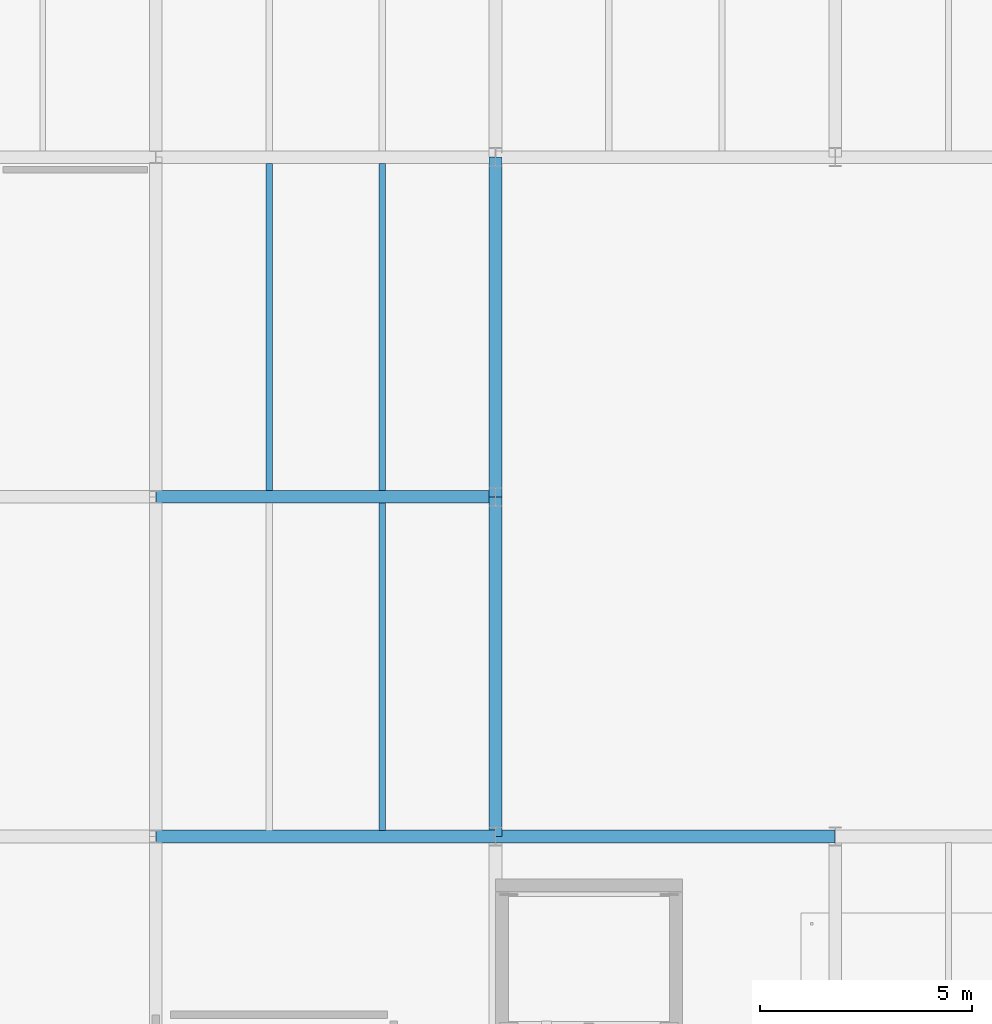
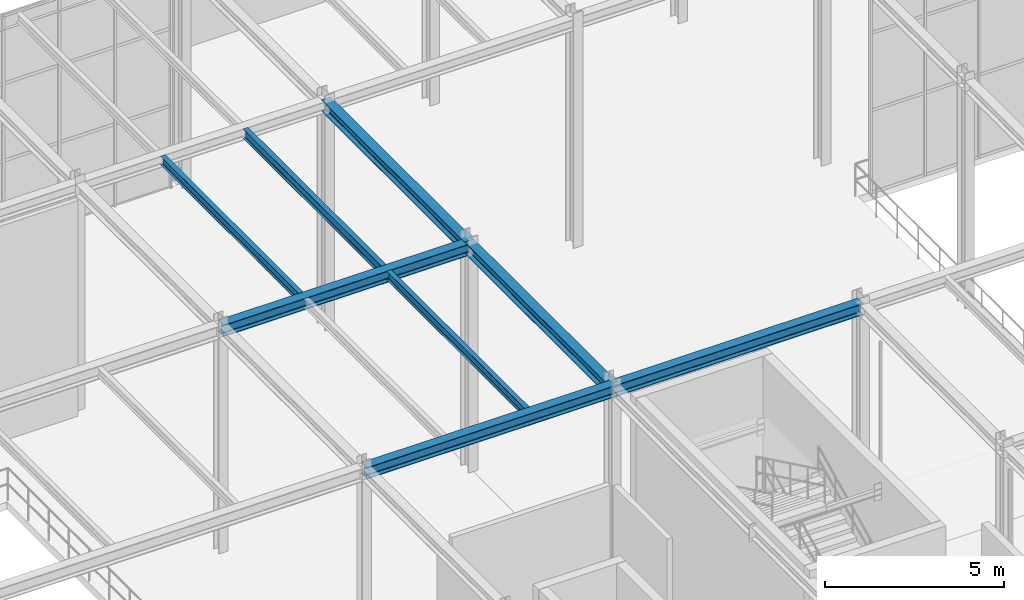
# One storey, part 47 of 138: 8 beams.
"""IFC4 building model written with IfcOpenShell, lengths in metres."""

from ifc_helpers import new_model, si_unit, direction, frame, origin, origin_2d, place, context, subcontext, project, spatial, i_section, extrude, material, material_profile, profile_set, type_object, element, save


model = new_model("IFC4")

# Units and contexts
model_context = context("Model", 3, precision=1e-05, world=origin(), true_north=direction((0.0, 1.0)))
body_context = subcontext(model_context, "Body", "Model", "MODEL_VIEW")
ifc_project = project(units=[si_unit("LENGTHUNIT", "METRE"), si_unit("AREAUNIT", "SQUARE_METRE"), si_unit("VOLUMEUNIT", "CUBIC_METRE"), si_unit("PLANEANGLEUNIT", "RADIAN"), si_unit("MASSUNIT", "GRAM", prefix="KILO")], contexts=[model_context])

# Site, building, storey
site_placement = place(None, origin())
site = spatial("IfcSite", under=ifc_project, at=site_placement, CompositionType="ELEMENT")
building_placement = place(site_placement, origin())
building = spatial("IfcBuilding", under=site, at=building_placement, Name="Sundkrona Museum", CompositionType="ELEMENT")
storey_placement = place(building_placement, frame((0.0, 0.0, 9.60009765625)))
storey = spatial("IfcBuildingStorey", under=building, at=storey_placement, Name="L02", CompositionType="ELEMENT", Elevation=9.60009765625)

# Beams
ifc_material = material(Name="Steel S355J2", Category="steel")
ifc_material_profile_1 = material_profile(ifc_material, i_section(OverallWidth=0.300048828125, OverallDepth=0.389892578125, WebThickness=0.010986328125, FlangeThickness=0.01904296875, FilletRadius=0.027099609375, at=origin_2d()), Name="HEA 400")
ifc_profile_set_1 = profile_set([ifc_material_profile_1], Name="Steel S355J2")
beam_type_1 = type_object("IfcBeamType", Name="B-HEA400", PredefinedType="BEAM", material=ifc_profile_set_1)
for number, where, z_axis, x_axis, name in (
    (1, (112.0, 16.0, 7.544921875), (1.0, 0.0, 0.0), (0.0, 1.0, 0.0), "L02 Girder X-1140"),
    (2, (120.0, 16.0, 7.544921875), (1.0, 0.0, 0.0), (0.0, 1.0, 0.0), "L02 Girder X-1141"),
    (3, (112.0, 24.0, 7.544921875), (1.0, 0.0, 0.0), (0.0, 1.0, 0.0), "L02 Girder X-1148"),
    (4, (120.0, 16.0, 7.544921875), (0.0, 1.0, 0.0), (-1.0, 0.0, 0.0), "L02 Girder Y-1334"),
    (5, (120.0, 24.0, 7.544921875), (0.0, 1.0, 0.0), (-1.0, 0.0, 0.0), "L02 Girder Y-1335"),
):
    element("IfcBeam", number, at=place(storey_placement, frame(where, z_axis=z_axis, x_axis=x_axis)), inside=storey, type_object=beam_type_1, Name=name, PredefinedType="BEAM", context=body_context, shape_type="SweptSolid", body=[
        extrude(i_section(OverallWidth=0.300048828125, OverallDepth=0.389892578125, WebThickness=0.010986328125, FlangeThickness=0.01904296875, FilletRadius=0.027099609375, at=origin_2d()), origin(), (0.0, 0.0, 1.0), 8.0),
    ])
ifc_material_profile_2 = material_profile(ifc_material, i_section(OverallWidth=0.14990234375, OverallDepth=0.300048828125, WebThickness=0.007080078125, FlangeThickness=0.0107421875, FilletRadius=0.014892578125, at=origin_2d()), Name="IPE 300")
ifc_profile_set_2 = profile_set([ifc_material_profile_2], Name="Steel S355J2")
beam_type_2 = type_object("IfcBeamType", Name="J-IPE300", PredefinedType="JOIST", material=ifc_profile_set_2)
for number, where, z_axis, x_axis, name in (
    (6, (117.333251953125, 16.14404296875, 7.58984375), (0.0, 1.0, 0.0), (-1.0, 0.0, 0.0), "L02 Composite Joist 0858"),
    (7, (114.666748046875, 24.14404296875, 7.58984375), (0.0, 1.0, 0.0), (-1.0, 0.0, 0.0), "L02 Composite Joist 0859"),
):
    element("IfcBeam", number, at=place(storey_placement, frame(where, z_axis=z_axis, x_axis=x_axis)), inside=storey, type_object=beam_type_2, Name=name, PredefinedType="JOIST", context=body_context, shape_type="SweptSolid", body=[
        extrude(i_section(OverallWidth=0.14990234375, OverallDepth=0.300048828125, WebThickness=0.007080078125, FlangeThickness=0.0107421875, FilletRadius=0.014892578125, at=origin_2d()), origin(), (0.0, 0.0, 1.0), 7.7119140625),
    ])
ifc_material_profile_3 = material_profile(ifc_material, i_section(OverallWidth=0.159912109375, OverallDepth=0.330078125, WebThickness=0.007568359375, FlangeThickness=0.011474609375, FilletRadius=0.01806640625, at=origin_2d()), Name="IPE 330")
ifc_profile_set_3 = profile_set([ifc_material_profile_3], Name="Steel S355J2")
beam_type_3 = type_object("IfcBeamType", Name="J-IPE330", PredefinedType="JOIST", material=ifc_profile_set_3)
beam_placement = place(storey_placement, frame((117.333251953125, 24.14404296875, 7.574951171875), z_axis=(0.0, 1.0, 0.0), x_axis=(-1.0, 0.0, 0.0)))
element("IfcBeam", 8, at=beam_placement, inside=storey, type_object=beam_type_3, Name="L02 Composite Joist 0860", PredefinedType="JOIST", context=body_context, shape_type="SweptSolid", body=[
    extrude(i_section(OverallWidth=0.159912109375, OverallDepth=0.330078125, WebThickness=0.007568359375, FlangeThickness=0.011474609375, FilletRadius=0.01806640625, at=origin_2d()), origin(), (0.0, 0.0, 1.0), 7.7119140625),
])

save(model, "model.ifc")
